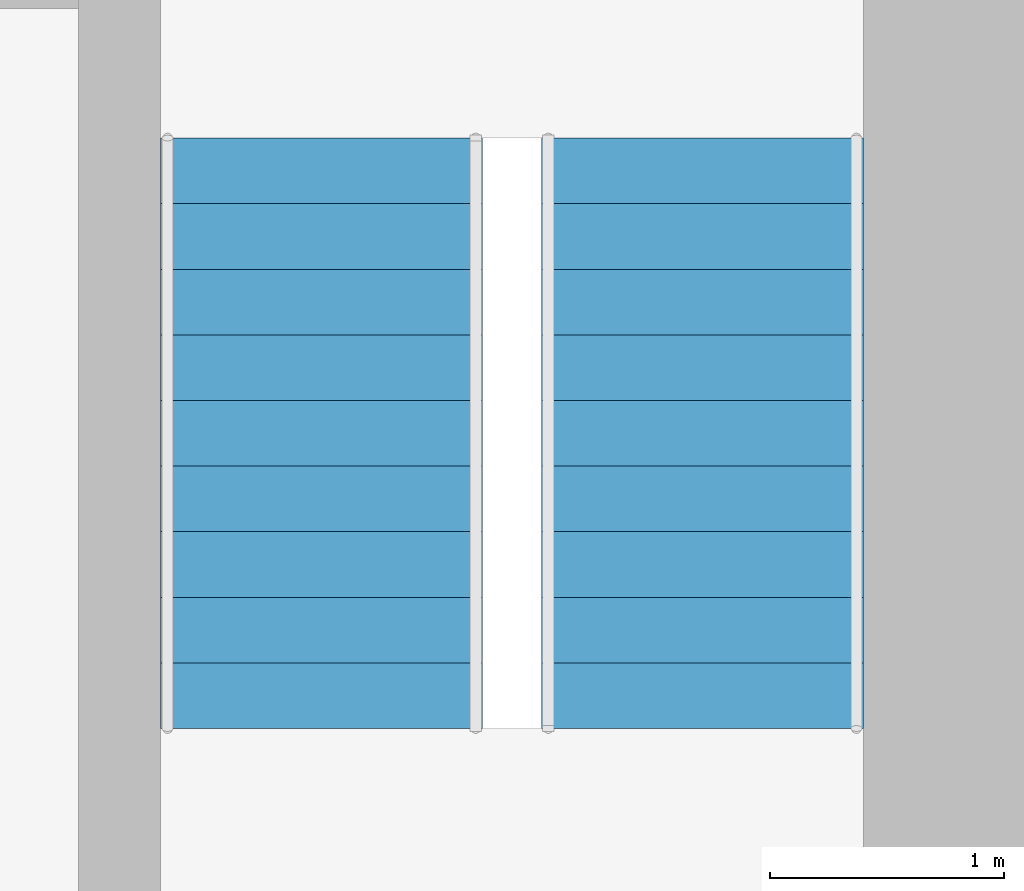
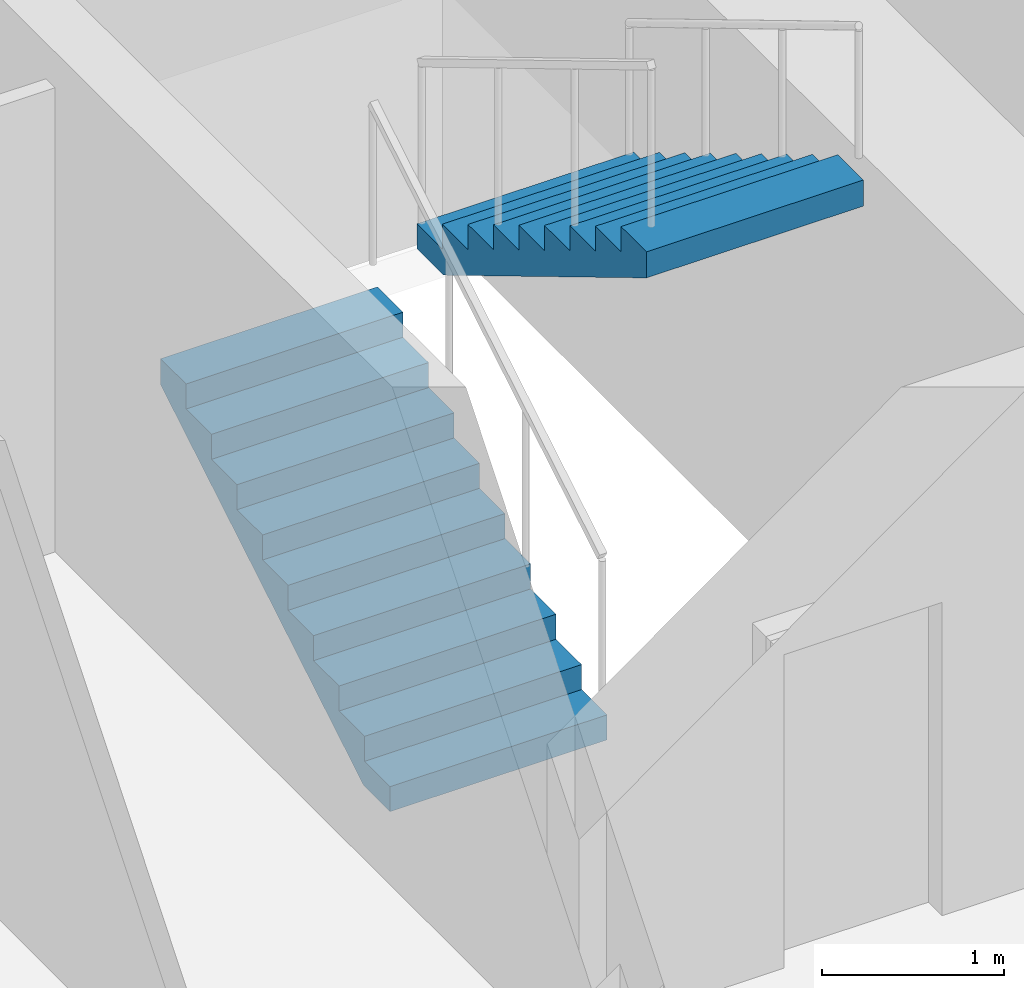
# One storey, part 23 of 24: 2 stair flights, 1 element without a shape of its own.
"""IFC4 building model written with IfcOpenShell, lengths in metres."""

from ifc_helpers import new_model, si_unit, direction, frame, origin, place, context, subcontext, project, spatial, polyline, outline, extrude, material, type_object, element, aggregate, save


model = new_model("IFC4")

# Units and contexts
model_context = context("Model", 3, precision=1e-05, world=origin(), true_north=direction((0.0, 1.0)))
body_context = subcontext(model_context, "Body", "Model", "MODEL_VIEW")
ifc_project = project(units=[si_unit("LENGTHUNIT", "METRE"), si_unit("AREAUNIT", "SQUARE_METRE"), si_unit("VOLUMEUNIT", "CUBIC_METRE"), si_unit("PLANEANGLEUNIT", "RADIAN"), si_unit("MASSUNIT", "GRAM", prefix="KILO")], contexts=[model_context])

# Site, building, storey
site_placement = place(None, origin())
site = spatial("IfcSite", under=ifc_project, at=site_placement, CompositionType="ELEMENT")
building_placement = place(site_placement, origin())
building = spatial("IfcBuilding", under=site, at=building_placement, Name="Jalousie Tower", CompositionType="ELEMENT")
storey_placement = place(building_placement, frame((0.0, 0.0, 131.64990234375)))
storey = spatial("IfcBuildingStorey", under=building, at=storey_placement, Name="L36", CompositionType="ELEMENT", Elevation=131.64990234375)

# Stair, stair flights
ifc_material_1 = material(Name="Concrete f'c 40 MPa", Category="concrete")
stair_type = type_object("IfcStairType", Name="EXIT STAIR", PredefinedType="HALF_TURN_STAIR", material=ifc_material_1)
stair_placement = place(storey_placement, origin())
stair = element("IfcStair", 1, at=stair_placement, inside=storey, type_object=stair_type, Name="Exit stair B L36", PredefinedType="HALF_TURN_STAIR")
ifc_material_2 = material(Name="Concrete f'c 40 MPa", Category="concrete")
stair_flight_type = type_object("IfcStairFlightType", Name="STAIR FLIGHT", PredefinedType="STRAIGHT", material=ifc_material_2)
stair_flight_1_placement = place(storey_placement, frame((41.0625, 21.50244140625, 0.0), z_axis=(0.0, 0.0, 1.0), x_axis=(0.0, 1.0, 0.0)))
stair_flight_1 = element("IfcStairFlight", 2, at=stair_flight_1_placement, type_object=stair_flight_type, Name="ST-B flight 1", NumberOfRisers=10, NumberOfTreads=9, PredefinedType="STRAIGHT", RiserHeight=0.1675, TreadLength=0.28, context=body_context, shape_type="SweptSolid", body=[
    extrude(outline(polyline([(0.0, 0.0), (0.0, 0.16748046875), (0.280029296875, 0.16748046875), (0.280029296875, 0.3349609375), (0.56005859375, 0.3349609375), (0.56005859375, 0.50244140625), (0.840087890625, 0.50244140625), (0.840087890625, 0.669921875), (1.1201171875, 0.669921875), (1.1201171875, 0.83740234375), (1.39990234375, 0.83740234375), (1.39990234375, 1.0048828125), (1.679931640625, 1.0048828125), (1.679931640625, 1.172607421875), (1.9599609375, 1.172607421875), (1.9599609375, 1.340087890625), (2.239990234375, 1.340087890625), (2.239990234375, 1.507568359375), (2.52001953125, 1.507568359375), (2.52001953125, 1.675048828125), (2.52001953125, 1.332763671875), (0.2919921875, 0.0), (0.0, 0.0)])), frame((0.0, 0.6875, 0.0), z_axis=(0.0, -1.0, 0.0), x_axis=(1.0, 0.0, 0.0)), (0.0, 0.0, 1.0), 1.375),
])
stair_flight_2_placement = place(storey_placement, frame((42.6875, 24.0224609375, 1.675048828125), z_axis=(0.0, 0.0, 1.0), x_axis=(0.0, -1.0, 0.0)))
stair_flight_2 = element("IfcStairFlight", 3, at=stair_flight_2_placement, type_object=stair_flight_type, Name="ST-B flight 2", NumberOfRisers=10, NumberOfTreads=9, PredefinedType="STRAIGHT", RiserHeight=0.1675, TreadLength=0.28, context=body_context, shape_type="SweptSolid", body=[
    extrude(outline(polyline([(0.0, 0.0), (0.0, 0.16748046875), (0.280029296875, 0.16748046875), (0.280029296875, 0.3349609375), (0.56005859375, 0.3349609375), (0.56005859375, 0.50244140625), (0.840087890625, 0.50244140625), (0.840087890625, 0.669921875), (1.1201171875, 0.669921875), (1.1201171875, 0.83740234375), (1.39990234375, 0.83740234375), (1.39990234375, 1.0048828125), (1.679931640625, 1.0048828125), (1.679931640625, 1.172607421875), (1.9599609375, 1.172607421875), (1.9599609375, 1.340087890625), (2.239990234375, 1.340087890625), (2.239990234375, 1.507568359375), (2.52001953125, 1.507568359375), (2.52001953125, 1.675048828125), (2.52001953125, 1.332763671875), (0.2919921875, 0.0), (0.0, 0.0)])), frame((0.0, 0.6875, 0.0), z_axis=(0.0, -1.0, 0.0), x_axis=(1.0, 0.0, 0.0)), (0.0, 0.0, 1.0), 1.375),
])
aggregate(stair, [stair_flight_1, stair_flight_2])

save(model, "model.ifc")
